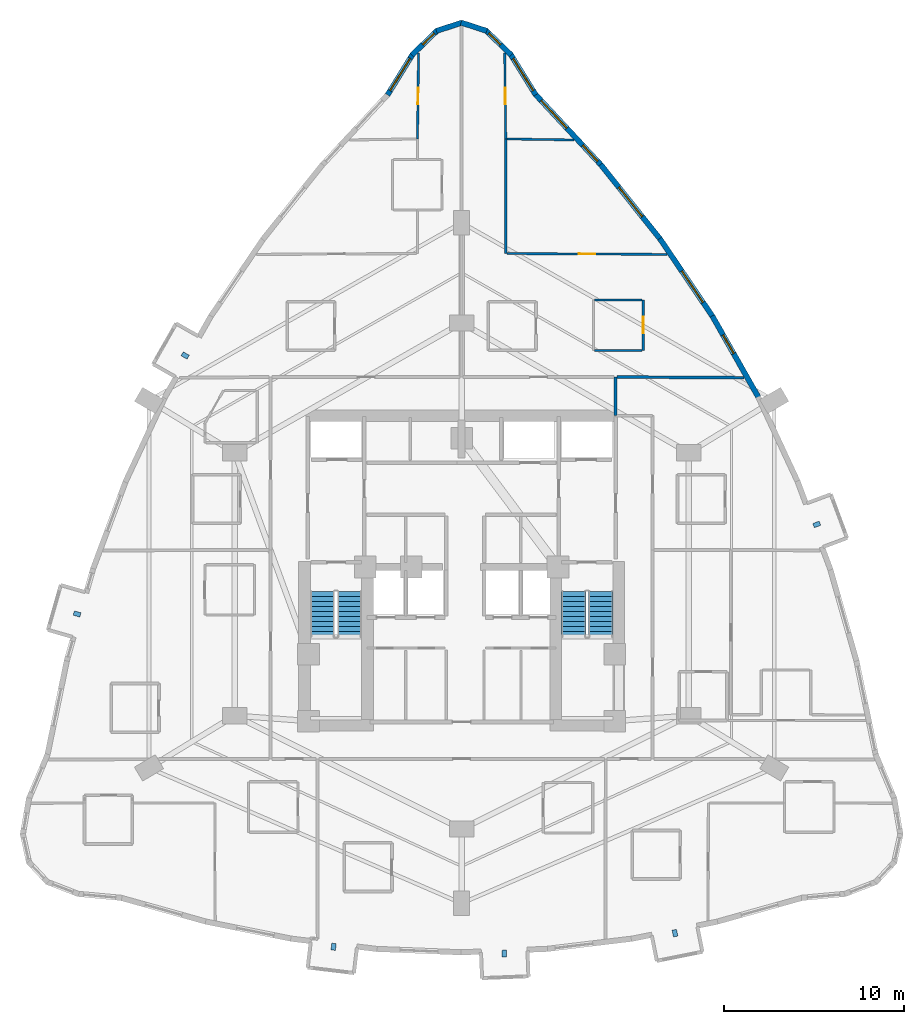
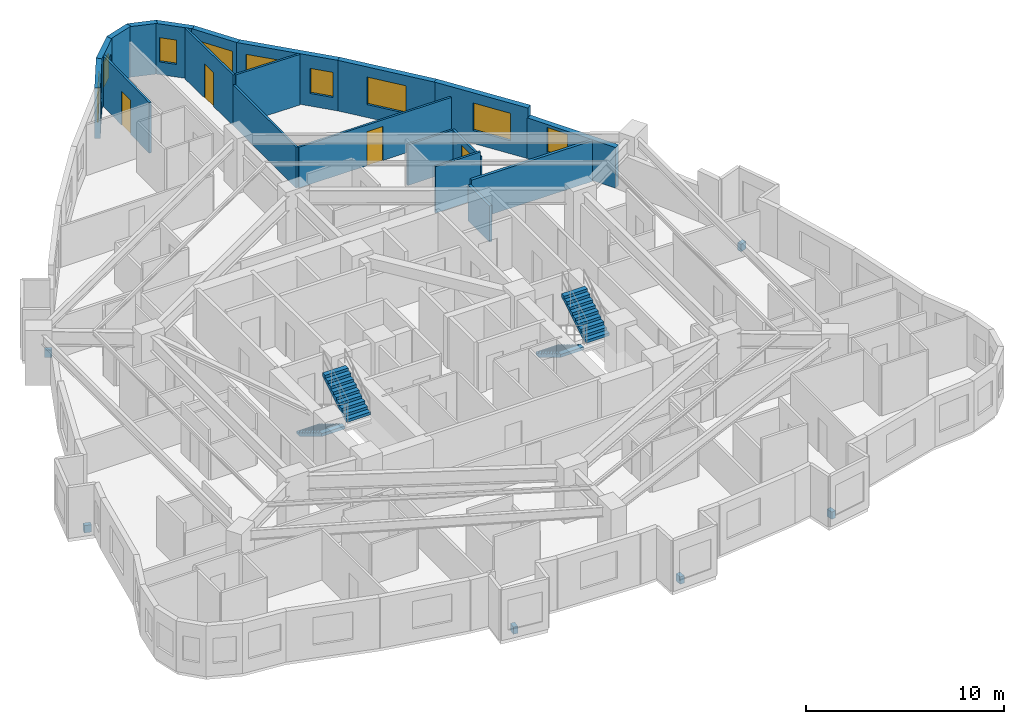
# One storey, part 10 of 11: 20 walls, 9 windows, 6 discrete accessories, 4 doors, 4 stair flights, 13 openings, 2 elements without a shape of their own.
"""IFC4 building model written with IfcOpenShell, lengths in metres."""

from ifc_helpers import new_model, si_unit, direction, frame, frame_2d, origin, origin_2d, place, context, subcontext, project, spatial, polyline, rectangle, outline, extrude, material, layer, layer_set, type_object, element, fill, aggregate, save


model = new_model("IFC4")

# Units and contexts
model_context = context("Model", 3, precision=1e-05, world=origin(), true_north=direction((0.0, 1.0)))
body_context = subcontext(model_context, "Body", "Model", "MODEL_VIEW")
ifc_project = project(units=[si_unit("LENGTHUNIT", "METRE"), si_unit("AREAUNIT", "SQUARE_METRE"), si_unit("VOLUMEUNIT", "CUBIC_METRE"), si_unit("PLANEANGLEUNIT", "RADIAN"), si_unit("MASSUNIT", "GRAM", prefix="KILO")], contexts=[model_context])

# Site, building, storey
site_placement = place(None, origin())
site = spatial("IfcSite", under=ifc_project, at=site_placement, CompositionType="ELEMENT")
building_placement = place(site_placement, origin())
building = spatial("IfcBuilding", under=site, at=building_placement, Name="Miruveldt Soraemaru", CompositionType="ELEMENT")
storey_placement = place(building_placement, frame((0.0, 0.0, 66.60009765625)))
storey = spatial("IfcBuildingStorey", under=building, at=storey_placement, Name="L18", CompositionType="ELEMENT", Elevation=66.60009765625)

# Wall, opening, window
ifc_material_1 = material(Name="Precast concrete C45/55 (45 MPa)", Category="concrete")
ifc_layer_1 = layer(ifc_material_1, 0.300048828125, Name="Precast concrete C45/55 (45 MPa)", Category="concrete")
ifc_layer_set_1 = layer_set([ifc_layer_1], Name="Precast concrete C45/55 (45 MPa)")
wall_type_1 = type_object("IfcWallType", Name="WALL-EXT-PC300", PredefinedType="SOLIDWALL", material=ifc_layer_set_1)
wall_1_placement = place(storey_placement, frame((48.114990234375, 70.26220703125, 0.0), z_axis=(0.0, 0.0, 1.0), x_axis=(-0.526058210972, 0.850448563212, 0.0)))
wall_1 = element("IfcWall", 1, at=wall_1_placement, inside=storey, type_object=wall_type_1, Name="L18 Precast Concrete Facade Wall 1", PredefinedType="SOLIDWALL", context=body_context, shape_type="SweptSolid", body=[
    extrude(rectangle(XDim=2.665771484375, YDim=0.300048828125, at=frame_2d((1.3330078125, 0.0))), origin(), (0.0, 0.0, 1.0), 3.125),
])
opening_1_placement = place(wall_1_placement, frame((0.278076171875, 0.0, 0.800048828125)))
opening_1 = element("IfcOpeningElement", 2, at=opening_1_placement, cuts=wall_1, Name="Opening WN-1", PredefinedType="OPENING", context=body_context, shape_type="SweptSolid", body=[
    extrude(rectangle(XDim=2.10009765625, YDim=1.699951171875, at=frame_2d((1.050048828125, 0.85009765625))), frame((0.0, 0.16015625, 0.0), z_axis=(0.0, -1.0, 0.0), x_axis=(1.0, 0.0, 0.0)), (0.0, 0.0, 1.0), 0.320068359375),
])
ifc_material_2 = material(Name="Triple low-e insulated glazing", Category="glass")
window_type_1 = type_object("IfcWindowType", Name="WIN-PUNCH-2100x1700", PartitioningType="SINGLE_PANEL", PredefinedType="WINDOW", material=ifc_material_2)
window_1_placement = place(opening_1_placement, origin())
window_1 = element("IfcWindow", 3, at=window_1_placement, inside=storey, type_object=window_type_1, Name="L18 Punched Triple-Glazed Window 01.1", OverallHeight=1.699951171875, OverallWidth=2.10009765625, PartitioningType="SINGLE_PANEL", PredefinedType="WINDOW", context=body_context, shape_type="SweptSolid", body=[
    extrude(rectangle(XDim=2.10009765625, YDim=1.699951171875, at=frame_2d((1.050048828125, 0.85009765625))), frame((0.0, 0.030029296875, 0.0), z_axis=(0.0, -1.0, 0.0), x_axis=(1.0, 0.0, 0.0)), (0.0, 0.0, 1.0), 0.06005859375),
])
fill(opening_1, window_1)

wall_2_placement = place(storey_placement, frame((46.756103515625, 72.47509765625, 0.0), z_axis=(0.0, 0.0, 1.0), x_axis=(-0.717793535673, 0.696256016237, 0.0)))
wall_2 = element("IfcWall", 4, at=wall_2_placement, inside=storey, type_object=wall_type_1, Name="L18 Precast Concrete Facade Wall 2", PredefinedType="SOLIDWALL", context=body_context, shape_type="SweptSolid", body=[
    extrude(rectangle(XDim=1.972412109375, YDim=0.300048828125, at=frame_2d((0.986328125, 0.0))), origin(), (0.0, 0.0, 1.0), 3.125),
])
opening_2_placement = place(wall_2_placement, frame((0.8310546875, 0.0, 0.780029296875)))
opening_2 = element("IfcOpeningElement", 5, at=opening_2_placement, cuts=wall_2, Name="Opening WN-7", PredefinedType="OPENING", context=body_context, shape_type="SweptSolid", body=[
    extrude(rectangle(XDim=0.89990234375, YDim=1.5, at=frame_2d((0.449951171875, 0.75))), frame((0.0, 0.16015625, 0.0), z_axis=(0.0, -1.0, 0.0), x_axis=(1.0, 0.0, 0.0)), (0.0, 0.0, 1.0), 0.320068359375),
])
window_type_2 = type_object("IfcWindowType", Name="WIN-PUNCH-900x1500", PartitioningType="SINGLE_PANEL", PredefinedType="WINDOW", material=ifc_material_2)
window_2_placement = place(opening_2_placement, origin())
window_2 = element("IfcWindow", 6, at=window_2_placement, inside=storey, type_object=window_type_2, Name="L18 Punched Triple-Glazed Window 02.1", OverallHeight=1.5, OverallWidth=0.89990234375, PartitioningType="SINGLE_PANEL", PredefinedType="WINDOW", context=body_context, shape_type="SweptSolid", body=[
    extrude(rectangle(XDim=0.89990234375, YDim=1.5, at=frame_2d((0.449951171875, 0.75))), frame((0.0, 0.030029296875, 0.0), z_axis=(0.0, -1.0, 0.0), x_axis=(1.0, 0.0, 0.0)), (0.0, 0.0, 1.0), 0.06005859375),
])
fill(opening_2, window_2)

# Walls
for number, where, z_axis, x_axis, name in (
    (7, (45.398681640625, 73.813232421875, 0.0), (0.0, 0.0, 1.0), (-0.951468271923, 0.307746856238, 0.0), "L18 Precast Concrete Facade Wall 3"),
    (8, (44.033203125, 74.2763671875, 0.0), (0.0, 0.0, 1.0), (-0.951468271923, -0.307746856238, 0.0), "L18 Precast Concrete Facade Wall 4"),
):
    element("IfcWall", number, at=place(storey_placement, frame(where, z_axis=z_axis, x_axis=x_axis)), inside=storey, type_object=wall_type_1, Name=name, PredefinedType="SOLIDWALL", context=body_context, shape_type="SweptSolid", body=[
        extrude(rectangle(XDim=1.5048828125, YDim=0.300048828125, at=frame_2d((0.75244140625, 0.0))), origin(), (0.0, 0.0, 1.0), 3.125),
    ])

# Wall, opening, window
wall_3_placement = place(storey_placement, frame((42.65966796875, 73.848388671875, 0.0), z_axis=(0.0, 0.0, 1.0), x_axis=(-0.717793535673, -0.696256016237, 0.0)))
wall_3 = element("IfcWall", 9, at=wall_3_placement, inside=storey, type_object=wall_type_1, Name="L18 Precast Concrete Facade Wall 5", PredefinedType="SOLIDWALL", context=body_context, shape_type="SweptSolid", body=[
    extrude(rectangle(XDim=1.972412109375, YDim=0.300048828125, at=frame_2d((0.986328125, 0.0))), origin(), (0.0, 0.0, 1.0), 3.125),
])
opening_3_placement = place(wall_3_placement, frame((0.240966796875, 0.0, 0.780029296875)))
opening_3 = element("IfcOpeningElement", 10, at=opening_3_placement, cuts=wall_3, Name="Opening WN-7", PredefinedType="OPENING", context=body_context, shape_type="SweptSolid", body=[
    extrude(rectangle(XDim=0.89990234375, YDim=1.5, at=frame_2d((0.449951171875, 0.75))), frame((0.0, 0.16015625, 0.0), z_axis=(0.0, -1.0, 0.0), x_axis=(1.0, 0.0, 0.0)), (0.0, 0.0, 1.0), 0.320068359375),
])
window_3_placement = place(opening_3_placement, origin())
window_3 = element("IfcWindow", 11, at=window_3_placement, inside=storey, type_object=window_type_2, Name="L18 Punched Triple-Glazed Window 05.1", OverallHeight=1.5, OverallWidth=0.89990234375, PartitioningType="SINGLE_PANEL", PredefinedType="WINDOW", context=body_context, shape_type="SweptSolid", body=[
    extrude(rectangle(XDim=0.89990234375, YDim=1.5, at=frame_2d((0.449951171875, 0.75))), frame((0.0, 0.030029296875, 0.0), z_axis=(0.0, -1.0, 0.0), x_axis=(1.0, 0.0, 0.0)), (0.0, 0.0, 1.0), 0.06005859375),
])
fill(opening_3, window_3)

wall_4_placement = place(storey_placement, frame((41.287353515625, 72.529296875, 0.0), z_axis=(0.0, 0.0, 1.0), x_axis=(-0.526058210972, -0.850448563212, 0.0)))
wall_4 = element("IfcWall", 12, at=wall_4_placement, inside=storey, type_object=wall_type_1, Name="L18 Precast Concrete Facade Wall 6", PredefinedType="SOLIDWALL", context=body_context, shape_type="SweptSolid", body=[
    extrude(rectangle(XDim=2.665771484375, YDim=0.300048828125, at=frame_2d((1.3330078125, 0.0))), origin(), (0.0, 0.0, 1.0), 3.125),
])
opening_4_placement = place(wall_4_placement, frame((0.2880859375, 0.0, 0.800048828125)))
opening_4 = element("IfcOpeningElement", 13, at=opening_4_placement, cuts=wall_4, Name="Opening WN-1", PredefinedType="OPENING", context=body_context, shape_type="SweptSolid", body=[
    extrude(rectangle(XDim=2.10009765625, YDim=1.699951171875, at=frame_2d((1.050048828125, 0.85009765625))), frame((0.0, 0.16015625, 0.0), z_axis=(0.0, -1.0, 0.0), x_axis=(1.0, 0.0, 0.0)), (0.0, 0.0, 1.0), 0.320068359375),
])
window_4_placement = place(opening_4_placement, origin())
window_4 = element("IfcWindow", 14, at=window_4_placement, inside=storey, type_object=window_type_1, Name="L18 Punched Triple-Glazed Window 06.1", OverallHeight=1.699951171875, OverallWidth=2.10009765625, PartitioningType="SINGLE_PANEL", PredefinedType="WINDOW", context=body_context, shape_type="SweptSolid", body=[
    extrude(rectangle(XDim=2.10009765625, YDim=1.699951171875, at=frame_2d((1.050048828125, 0.85009765625))), frame((0.0, 0.030029296875, 0.0), z_axis=(0.0, -1.0, 0.0), x_axis=(1.0, 0.0, 0.0)), (0.0, 0.0, 1.0), 0.06005859375),
])
fill(opening_4, window_4)

wall_5_placement = place(storey_placement, frame((60.4970703125, 53.44140625, 0.0), z_axis=(0.0, 0.0, 1.0), x_axis=(-0.493356446913, 0.869827233587, 0.0)))
wall_5 = element("IfcWall", 15, at=wall_5_placement, inside=storey, type_object=wall_type_1, Name="L18 Precast Concrete Facade Wall 39", PredefinedType="SOLIDWALL", context=body_context, shape_type="SweptSolid", body=[
    extrude(rectangle(XDim=5.230224609375, YDim=0.300048828125, at=frame_2d((2.615234375, 0.0))), origin(), (0.0, 0.0, 1.0), 2.512939453125),
])
opening_5_placement = place(wall_5_placement, frame((2.824951171875, 0.0, 0.780029296875)))
opening_5 = element("IfcOpeningElement", 16, at=opening_5_placement, cuts=wall_5, Name="Opening WN-4", PredefinedType="OPENING", context=body_context, shape_type="SweptSolid", body=[
    extrude(rectangle(XDim=1.199951171875, YDim=1.550048828125, at=frame_2d((0.60009765625, 0.77490234375))), frame((0.0, 0.16015625, 0.0), z_axis=(0.0, -1.0, 0.0), x_axis=(1.0, 0.0, 0.0)), (0.0, 0.0, 1.0), 0.320068359375),
])
window_type_3 = type_object("IfcWindowType", Name="WIN-PUNCH-1200x1550", PartitioningType="SINGLE_PANEL", PredefinedType="WINDOW", material=ifc_material_2)
window_5_placement = place(opening_5_placement, origin())
window_5 = element("IfcWindow", 17, at=window_5_placement, inside=storey, type_object=window_type_3, Name="L18 Punched Triple-Glazed Window 39.1", OverallHeight=1.550048828125, OverallWidth=1.199951171875, PartitioningType="SINGLE_PANEL", PredefinedType="WINDOW", context=body_context, shape_type="SweptSolid", body=[
    extrude(rectangle(XDim=1.199951171875, YDim=1.550048828125, at=frame_2d((0.60009765625, 0.77490234375))), frame((0.0, 0.030029296875, 0.0), z_axis=(0.0, -1.0, 0.0), x_axis=(1.0, 0.0, 0.0)), (0.0, 0.0, 1.0), 0.06005859375),
])
fill(opening_5, window_5)

wall_6_placement = place(storey_placement, frame((57.95361328125, 57.931396484375, 0.0), z_axis=(0.0, 0.0, 1.0), x_axis=(-0.560829682514, 0.827931197148, 0.0)))
wall_6 = element("IfcWall", 18, at=wall_6_placement, inside=storey, type_object=wall_type_1, Name="L18 Precast Concrete Facade Wall 40", PredefinedType="SOLIDWALL", context=body_context, shape_type="SweptSolid", body=[
    extrude(rectangle(XDim=5.262939453125, YDim=0.300048828125, at=frame_2d((2.63134765625, 0.0))), origin(), (0.0, 0.0, 1.0), 3.125),
])
opening_6_placement = place(wall_6_placement, frame((0.98388671875, 0.0, 0.800048828125)))
opening_6 = element("IfcOpeningElement", 19, at=opening_6_placement, cuts=wall_6, Name="Opening WN-1", PredefinedType="OPENING", context=body_context, shape_type="SweptSolid", body=[
    extrude(rectangle(XDim=2.10009765625, YDim=1.699951171875, at=frame_2d((1.050048828125, 0.85009765625))), frame((0.0, 0.16015625, 0.0), z_axis=(0.0, -1.0, 0.0), x_axis=(1.0, 0.0, 0.0)), (0.0, 0.0, 1.0), 0.320068359375),
])
window_6_placement = place(opening_6_placement, origin())
window_6 = element("IfcWindow", 20, at=window_6_placement, inside=storey, type_object=window_type_1, Name="L18 Punched Triple-Glazed Window 40.1", OverallHeight=1.699951171875, OverallWidth=2.10009765625, PartitioningType="SINGLE_PANEL", PredefinedType="WINDOW", context=body_context, shape_type="SweptSolid", body=[
    extrude(rectangle(XDim=2.10009765625, YDim=1.699951171875, at=frame_2d((1.050048828125, 0.85009765625))), frame((0.0, 0.030029296875, 0.0), z_axis=(0.0, -1.0, 0.0), x_axis=(1.0, 0.0, 0.0)), (0.0, 0.0, 1.0), 0.06005859375),
])
fill(opening_6, window_6)

wall_7_placement = place(storey_placement, frame((55.043212890625, 62.232421875, 0.0), z_axis=(0.0, 0.0, 1.0), x_axis=(-0.623588074448, 0.781753102588, 0.0)))
wall_7 = element("IfcWall", 21, at=wall_7_placement, inside=storey, type_object=wall_type_1, Name="L18 Precast Concrete Facade Wall 41", PredefinedType="SOLIDWALL", context=body_context, shape_type="SweptSolid", body=[
    extrude(rectangle(XDim=5.328369140625, YDim=0.300048828125, at=frame_2d((2.6640625, 0.0))), origin(), (0.0, 0.0, 1.0), 3.125),
])
opening_7_placement = place(wall_7_placement, frame((1.614013671875, 0.0, 0.800048828125)))
opening_7 = element("IfcOpeningElement", 22, at=opening_7_placement, cuts=wall_7, Name="Opening WN-1", PredefinedType="OPENING", context=body_context, shape_type="SweptSolid", body=[
    extrude(rectangle(XDim=2.10009765625, YDim=1.699951171875, at=frame_2d((1.050048828125, 0.85009765625))), frame((0.0, 0.16015625, 0.0), z_axis=(0.0, -1.0, 0.0), x_axis=(1.0, 0.0, 0.0)), (0.0, 0.0, 1.0), 0.320068359375),
])
window_7_placement = place(opening_7_placement, origin())
window_7 = element("IfcWindow", 23, at=window_7_placement, inside=storey, type_object=window_type_1, Name="L18 Punched Triple-Glazed Window 41.1", OverallHeight=1.699951171875, OverallWidth=2.10009765625, PartitioningType="SINGLE_PANEL", PredefinedType="WINDOW", context=body_context, shape_type="SweptSolid", body=[
    extrude(rectangle(XDim=2.10009765625, YDim=1.699951171875, at=frame_2d((1.050048828125, 0.85009765625))), frame((0.0, 0.030029296875, 0.0), z_axis=(0.0, -1.0, 0.0), x_axis=(1.0, 0.0, 0.0)), (0.0, 0.0, 1.0), 0.06005859375),
])
fill(opening_7, window_7)

# Wall, openings, windows
wall_8_placement = place(storey_placement, frame((51.76611328125, 66.344970703125, 0.0), z_axis=(0.0, 0.0, 1.0), x_axis=(-0.680892924908, 0.732382976871, 0.0)))
wall_8 = element("IfcWall", 24, at=wall_8_placement, inside=storey, type_object=wall_type_1, Name="L18 Precast Concrete Facade Wall 42", PredefinedType="SOLIDWALL", context=body_context, shape_type="SweptSolid", body=[
    extrude(rectangle(XDim=5.42431640625, YDim=0.300048828125, at=frame_2d((2.712158203125, 0.0))), origin(), (0.0, 0.0, 1.0), 3.125),
])
opening_8_placement = place(wall_8_placement, frame((0.322021484375, 0.0, 0.780029296875)))
opening_8 = element("IfcOpeningElement", 25, at=opening_8_placement, cuts=wall_8, Name="Opening WN-4", PredefinedType="OPENING", context=body_context, shape_type="SweptSolid", body=[
    extrude(rectangle(XDim=1.199951171875, YDim=1.550048828125, at=frame_2d((0.60009765625, 0.77490234375))), frame((0.0, 0.16015625, 0.0), z_axis=(0.0, -1.0, 0.0), x_axis=(1.0, 0.0, 0.0)), (0.0, 0.0, 1.0), 0.320068359375),
])
opening_9_placement = place(wall_8_placement, frame((2.823974609375, 0.0, 0.800048828125)))
opening_9 = element("IfcOpeningElement", 26, at=opening_9_placement, cuts=wall_8, Name="Opening WN-1", PredefinedType="OPENING", context=body_context, shape_type="SweptSolid", body=[
    extrude(rectangle(XDim=2.10009765625, YDim=1.699951171875, at=frame_2d((1.050048828125, 0.85009765625))), frame((0.0, 0.16015625, 0.0), z_axis=(0.0, -1.0, 0.0), x_axis=(1.0, 0.0, 0.0)), (0.0, 0.0, 1.0), 0.320068359375),
])
window_8_placement = place(opening_8_placement, origin())
window_8 = element("IfcWindow", 27, at=window_8_placement, inside=storey, type_object=window_type_3, Name="L18 Punched Triple-Glazed Window 42.1", OverallHeight=1.550048828125, OverallWidth=1.199951171875, PartitioningType="SINGLE_PANEL", PredefinedType="WINDOW", context=body_context, shape_type="SweptSolid", body=[
    extrude(rectangle(XDim=1.199951171875, YDim=1.550048828125, at=frame_2d((0.60009765625, 0.77490234375))), frame((0.0, 0.030029296875, 0.0), z_axis=(0.0, -1.0, 0.0), x_axis=(1.0, 0.0, 0.0)), (0.0, 0.0, 1.0), 0.06005859375),
])
fill(opening_8, window_8)
window_9_placement = place(opening_9_placement, origin())
window_9 = element("IfcWindow", 28, at=window_9_placement, inside=storey, type_object=window_type_1, Name="L18 Punched Triple-Glazed Window 42.2", OverallHeight=1.699951171875, OverallWidth=2.10009765625, PartitioningType="SINGLE_PANEL", PredefinedType="WINDOW", context=body_context, shape_type="SweptSolid", body=[
    extrude(rectangle(XDim=2.10009765625, YDim=1.699951171875, at=frame_2d((1.050048828125, 0.85009765625))), frame((0.0, 0.030029296875, 0.0), z_axis=(0.0, -1.0, 0.0), x_axis=(1.0, 0.0, 0.0)), (0.0, 0.0, 1.0), 0.06005859375),
])
fill(opening_9, window_9)

# Wall, opening, door
ifc_material_3 = material(Name="Gypsum plasterboard lining", Category="gypsum")
ifc_layer_2 = layer(ifc_material_3, 0.1201171875, Name="Gypsum plasterboard lining", Category="gypsum")
ifc_layer_set_2 = layer_set([ifc_layer_2], Name="Gypsum plasterboard lining")
wall_type_2 = type_object("IfcWallType", Name="WALL-INT-P120", PredefinedType="PARTITIONING", material=ifc_layer_set_2)
wall_9_placement = place(storey_placement, frame((55.40087890625, 61.406005859375, 0.0), z_axis=(0.0, 0.0, 1.0), x_axis=(-0.999986101911, 0.00527218968, 0.0)))
wall_9 = element("IfcWall", 29, at=wall_9_placement, inside=storey, type_object=wall_type_2, Name="L18 Partition Wall 37", PredefinedType="PARTITIONING", context=body_context, shape_type="SweptSolid", body=[
    extrude(rectangle(XDim=8.89111328125, YDim=0.1201171875, at=frame_2d((4.445556640625, 0.0))), origin(), (0.0, 0.0, 1.0), 2.512939453125),
])
opening_10_placement = place(wall_9_placement, frame((3.986083984375, 0.0, 0.0)))
opening_10 = element("IfcOpeningElement", 30, at=opening_10_placement, cuts=wall_9, Name="Opening D3A", PredefinedType="OPENING", context=body_context, shape_type="SweptSolid", body=[
    extrude(rectangle(XDim=0.919921875, YDim=2.10009765625, at=frame_2d((0.4599609375, 1.050048828125))), frame((0.0, 0.070068359375, 0.0), z_axis=(0.0, -1.0, 0.0), x_axis=(1.0, 0.0, 0.0)), (0.0, 0.0, 1.0), 0.14013671875),
])
ifc_material_4 = material(Name="Anodised aluminium EN AW-6063 T6", Category="aluminium")
door_type = type_object("IfcDoorType", Name="DOOR-INT-920", OperationType="NOTDEFINED", PredefinedType="DOOR", material=ifc_material_4)
door_1_placement = place(opening_10_placement, origin())
door_1 = element("IfcDoor", 31, at=door_1_placement, inside=storey, type_object=door_type, Name="L18 Unit 1802 BD1 Door", OperationType="SINGLE_SWING_LEFT", OverallHeight=2.10009765625, OverallWidth=0.919921875, PredefinedType="DOOR", context=body_context, shape_type="SweptSolid", body=[
    extrude(rectangle(XDim=0.919921875, YDim=2.10009765625, at=frame_2d((0.4599609375, 1.050048828125))), frame((0.0, 0.02490234375, 0.0), z_axis=(0.0, -1.0, 0.0), x_axis=(1.0, 0.0, 0.0)), (0.0, 0.0, 1.0), 0.050048828125),
])
fill(opening_10, door_1)

wall_10_placement = place(storey_placement, frame((41.60888671875, 72.60009765625, 0.0), z_axis=(0.0, 0.0, 1.0), x_axis=(-0.012300008618, -0.999924352033, 0.0)))
wall_10 = element("IfcWall", 32, at=wall_10_placement, inside=storey, type_object=wall_type_2, Name="L18 Partition Wall 22", PredefinedType="PARTITIONING", context=body_context, shape_type="SweptSolid", body=[
    extrude(rectangle(XDim=4.783447265625, YDim=0.1201171875, at=frame_2d((2.3916015625, 0.0))), origin(), (0.0, 0.0, 1.0), 3.125),
])
opening_11_placement = place(wall_10_placement, frame((1.931884765625, 0.0, 0.0)))
opening_11 = element("IfcOpeningElement", 33, at=opening_11_placement, cuts=wall_10, Name="Opening D3A", PredefinedType="OPENING", context=body_context, shape_type="SweptSolid", body=[
    extrude(rectangle(XDim=0.919921875, YDim=2.10009765625, at=frame_2d((0.4599609375, 1.050048828125))), frame((0.0, 0.070068359375, 0.0), z_axis=(0.0, -1.0, 0.0), x_axis=(1.0, 0.0, 0.0)), (0.0, 0.0, 1.0), 0.14013671875),
])
door_2_placement = place(opening_11_placement, origin())
door_2 = element("IfcDoor", 34, at=door_2_placement, inside=storey, type_object=door_type, Name="L18 Unit 1801 EXT Door", OperationType="SINGLE_SWING_LEFT", OverallHeight=2.10009765625, OverallWidth=0.919921875, PredefinedType="DOOR", context=body_context, shape_type="SweptSolid", body=[
    extrude(rectangle(XDim=0.919921875, YDim=2.10009765625, at=frame_2d((0.4599609375, 1.050048828125))), frame((0.0, 0.02490234375, 0.0), z_axis=(0.0, -1.0, 0.0), x_axis=(1.0, 0.0, 0.0)), (0.0, 0.0, 1.0), 0.050048828125),
])
fill(opening_11, door_2)

wall_11_placement = place(storey_placement, frame((46.449951171875, 67.81689453125, 0.0), z_axis=(0.0, 0.0, 1.0), x_axis=(-0.012300008618, 0.999924352033, 0.0)))
wall_11 = element("IfcWall", 35, at=wall_11_placement, inside=storey, type_object=wall_type_2, Name="L18 Partition Wall 39", PredefinedType="PARTITIONING", context=body_context, shape_type="SweptSolid", body=[
    extrude(rectangle(XDim=4.783447265625, YDim=0.1201171875, at=frame_2d((2.3916015625, 0.0))), origin(), (0.0, 0.0, 1.0), 3.125),
])
opening_12_placement = place(wall_11_placement, frame((1.931884765625, 0.0, 0.0)))
opening_12 = element("IfcOpeningElement", 36, at=opening_12_placement, cuts=wall_11, Name="Opening D3A", PredefinedType="OPENING", context=body_context, shape_type="SweptSolid", body=[
    extrude(rectangle(XDim=0.919921875, YDim=2.10009765625, at=frame_2d((0.4599609375, 1.050048828125))), frame((0.0, 0.070068359375, 0.0), z_axis=(0.0, -1.0, 0.0), x_axis=(1.0, 0.0, 0.0)), (0.0, 0.0, 1.0), 0.14013671875),
])
door_3_placement = place(opening_12_placement, origin())
door_3 = element("IfcDoor", 37, at=door_3_placement, inside=storey, type_object=door_type, Name="L18 Unit 1802 EXT Door", OperationType="SINGLE_SWING_RIGHT", OverallHeight=2.10009765625, OverallWidth=0.919921875, PredefinedType="DOOR", context=body_context, shape_type="SweptSolid", body=[
    extrude(rectangle(XDim=0.919921875, YDim=2.10009765625, at=frame_2d((0.4599609375, 1.050048828125))), frame((0.0, 0.02490234375, 0.0), z_axis=(0.0, -1.0, 0.0), x_axis=(1.0, 0.0, 0.0)), (0.0, 0.0, 1.0), 0.050048828125),
])
fill(opening_12, door_3)

wall_12_placement = place(storey_placement, frame((54.080078125, 56.080078125, 0.0), z_axis=(0.0, 0.0, 1.0), x_axis=(0.0, 1.0, 0.0)))
wall_12 = element("IfcWall", 38, at=wall_12_placement, inside=storey, type_object=wall_type_2, Name="L18 Partition Wall 33", PredefinedType="PARTITIONING", context=body_context, shape_type="SweptSolid", body=[
    extrude(rectangle(XDim=2.7998046875, YDim=0.1201171875, at=frame_2d((1.39990234375, 0.0))), origin(), (0.0, 0.0, 1.0), 2.512939453125),
])
opening_13_placement = place(wall_12_placement, frame((0.93994140625, 0.0, 0.0)))
opening_13 = element("IfcOpeningElement", 39, at=opening_13_placement, cuts=wall_12, Name="Opening D3A", PredefinedType="OPENING", context=body_context, shape_type="SweptSolid", body=[
    extrude(rectangle(XDim=0.919921875, YDim=2.10009765625, at=frame_2d((0.4599609375, 1.050048828125))), frame((0.0, 0.070068359375, 0.0), z_axis=(0.0, -1.0, 0.0), x_axis=(1.0, 0.0, 0.0)), (0.0, 0.0, 1.0), 0.14013671875),
])
door_4_placement = place(opening_13_placement, origin())
door_4 = element("IfcDoor", 40, at=door_4_placement, inside=storey, type_object=door_type, Name="L18 Unit 1802 KIT Door", OperationType="SINGLE_SWING_RIGHT", OverallHeight=2.10009765625, OverallWidth=0.919921875, PredefinedType="DOOR", context=body_context, shape_type="SweptSolid", body=[
    extrude(rectangle(XDim=0.919921875, YDim=2.10009765625, at=frame_2d((0.4599609375, 1.050048828125))), frame((0.0, 0.02490234375, 0.0), z_axis=(0.0, -1.0, 0.0), x_axis=(1.0, 0.0, 0.0)), (0.0, 0.0, 1.0), 0.050048828125),
])
fill(opening_13, door_4)

# Walls
wall_13_placement = place(storey_placement, frame((46.449951171875, 61.452880859375, 0.0), z_axis=(0.0, 0.0, 1.0), x_axis=(0.0, 1.0, 0.0)))
element("IfcWall", 41, at=wall_13_placement, inside=storey, type_object=wall_type_2, Name="L18 Partition Wall 38", PredefinedType="PARTITIONING", context=body_context, shape_type="SweptSolid", body=[
    extrude(rectangle(XDim=6.364013671875, YDim=0.1201171875, at=frame_2d((3.18212890625, 0.0))), origin(), (0.0, 0.0, 1.0), 2.512939453125),
])
wall_14_placement = place(storey_placement, frame((50.22607421875, 67.759033203125, 0.0), z_axis=(0.0, 0.0, 1.0), x_axis=(-0.999882856241, 0.015306005223, 0.0)))
element("IfcWall", 42, at=wall_14_placement, inside=storey, type_object=wall_type_2, Name="L18 Partition Wall 41", PredefinedType="PARTITIONING", context=body_context, shape_type="SweptSolid", body=[
    extrude(rectangle(XDim=3.716552734375, YDim=0.1201171875, at=frame_2d((1.8583984375, 0.0))), origin(), (0.0, 0.0, 1.0), 3.125),
])
wall_15_placement = place(storey_placement, frame((54.02001953125, 58.8798828125, 0.0), z_axis=(0.0, 0.0, 1.0), x_axis=(-1.0, 0.0, 0.0)))
element("IfcWall", 43, at=wall_15_placement, inside=storey, type_object=wall_type_2, Name="L18 Partition Wall 34", PredefinedType="PARTITIONING", context=body_context, shape_type="SweptSolid", body=[
    extrude(rectangle(XDim=2.630126953125, YDim=0.1201171875, at=frame_2d((1.31494140625, 0.0))), origin(), (0.0, 0.0, 1.0), 2.512939453125),
])
wall_16_placement = place(storey_placement, frame((51.389892578125, 56.080078125, 0.0), z_axis=(0.0, 0.0, 1.0), x_axis=(1.0, 0.0, 0.0)))
element("IfcWall", 44, at=wall_16_placement, inside=storey, type_object=wall_type_2, Name="L18 Partition Wall 36", PredefinedType="PARTITIONING", context=body_context, shape_type="SweptSolid", body=[
    extrude(rectangle(XDim=2.630126953125, YDim=0.1201171875, at=frame_2d((1.31494140625, 0.0))), origin(), (0.0, 0.0, 1.0), 2.86279296875),
])
ifc_material_5 = material(Name="Concrete C40/50 (40 MPa)", Category="concrete")
ifc_layer_3 = layer(ifc_material_5, 0.159912109375, Name="Concrete C40/50 (40 MPa)", Category="concrete")
ifc_layer_set_3 = layer_set([ifc_layer_3], Name="Concrete C40/50 (40 MPa)")
wall_type_3 = type_object("IfcWallType", Name="WALL-INT-RC160", PredefinedType="SOLIDWALL", material=ifc_layer_set_3)
wall_17_placement = place(storey_placement, frame((52.633056640625, 54.60009765625, 0.0), z_axis=(0.0, 0.0, 1.0), x_axis=(0.999983028998, -0.005825951896, 0.0)))
element("IfcWall", 45, at=wall_17_placement, inside=storey, type_object=wall_type_3, Name="L18 Partition Wall 40", PredefinedType="SOLIDWALL", context=body_context, shape_type="SweptSolid", body=[
    extrude(rectangle(XDim=7.0400390625, YDim=0.159912109375, at=frame_2d((3.52001953125, 0.0))), origin(), (0.0, 0.0, 1.0), 2.512939453125),
])
wall_18_placement = place(storey_placement, frame((52.550048828125, 52.449951171875, 0.0), z_axis=(0.0, 0.0, 1.0), x_axis=(0.0, 1.0, 0.0)))
element("IfcWall", 46, at=wall_18_placement, inside=storey, type_object=wall_type_3, Name="L18 Partition Wall 7", PredefinedType="SOLIDWALL", context=body_context, shape_type="SweptSolid", body=[
    extrude(rectangle(XDim=2.14697265625, YDim=0.159912109375, at=frame_2d((1.073486328125, 0.0))), origin(), (0.0, 0.0, 1.0), 2.219970703125),
])

# Stair, stair flights
stair_type = type_object("IfcStairType", Name="STAIR-DL-340", PredefinedType="HALF_TURN_STAIR", material=ifc_material_5)
stair_1_placement = place(storey_placement, origin())
stair_1 = element("IfcStair", 47, at=stair_1_placement, inside=storey, type_object=stair_type, Name="L18 Protected Exit Stair ST-1", PredefinedType="HALF_TURN_STAIR")
stair_flight_type = type_object("IfcStairFlightType", Name="SFL-DL-340", PredefinedType="STRAIGHT", material=ifc_material_5)
stair_flight_1_placement = place(storey_placement, frame((36.27490234375, 42.699951171875, 0.0), z_axis=(0.0, 0.0, 1.0), x_axis=(0.0, -1.0, 0.0)))
stair_flight_1 = element("IfcStairFlight", 48, at=stair_flight_1_placement, type_object=stair_flight_type, Name="ST-1 flight 1", NumberOfRisers=10, NumberOfTreads=9, PredefinedType="STRAIGHT", RiserHeight=0.17, TreadLength=0.28, context=body_context, shape_type="SweptSolid", body=[
    extrude(outline(polyline([(0.0, 0.0), (0.0, 0.169921875), (0.280029296875, 0.169921875), (0.280029296875, 0.340087890625), (0.56005859375, 0.340087890625), (0.56005859375, 0.510009765625), (0.840087890625, 0.510009765625), (0.840087890625, 0.679931640625), (1.1201171875, 0.679931640625), (1.1201171875, 0.85009765625), (1.39990234375, 0.85009765625), (1.39990234375, 1.02001953125), (1.679931640625, 1.02001953125), (1.679931640625, 1.18994140625), (1.9599609375, 1.18994140625), (1.9599609375, 1.360107421875), (2.239990234375, 1.360107421875), (2.239990234375, 1.530029296875), (2.52001953125, 1.530029296875), (2.52001953125, 1.699951171875), (2.52001953125, 1.343017578125), (0.30810546875, 0.0), (0.0, 0.0)])), frame((0.0, 0.675048828125, 0.0), z_axis=(0.0, -1.0, 0.0), x_axis=(1.0, 0.0, 0.0)), (0.0, 0.0, 1.0), 1.35009765625),
])
stair_flight_2_placement = place(storey_placement, frame((37.77490234375, 40.179931640625, 1.699951171875), z_axis=(0.0, 0.0, 1.0), x_axis=(0.0, 1.0, 0.0)))
stair_flight_2 = element("IfcStairFlight", 49, at=stair_flight_2_placement, type_object=stair_flight_type, Name="ST-1 flight 2", NumberOfRisers=10, NumberOfTreads=9, PredefinedType="STRAIGHT", RiserHeight=0.17, TreadLength=0.28, context=body_context, shape_type="SweptSolid", body=[
    extrude(outline(polyline([(0.0, 0.0), (0.0, 0.169921875), (0.280029296875, 0.169921875), (0.280029296875, 0.340087890625), (0.56005859375, 0.340087890625), (0.56005859375, 0.510009765625), (0.840087890625, 0.510009765625), (0.840087890625, 0.679931640625), (1.1201171875, 0.679931640625), (1.1201171875, 0.85009765625), (1.39990234375, 0.85009765625), (1.39990234375, 1.02001953125), (1.679931640625, 1.02001953125), (1.679931640625, 1.18994140625), (1.9599609375, 1.18994140625), (1.9599609375, 1.360107421875), (2.239990234375, 1.360107421875), (2.239990234375, 1.530029296875), (2.52001953125, 1.530029296875), (2.52001953125, 1.699951171875), (2.52001953125, 1.343017578125), (0.30810546875, 0.0), (0.0, 0.0)])), frame((0.0, 0.675048828125, 0.0), z_axis=(0.0, -1.0, 0.0), x_axis=(1.0, 0.0, 0.0)), (0.0, 0.0, 1.0), 1.35009765625),
])
aggregate(stair_1, [stair_flight_1, stair_flight_2])

stair_2_placement = place(storey_placement, origin())
stair_2 = element("IfcStair", 50, at=stair_2_placement, inside=storey, type_object=stair_type, Name="L18 Protected Exit Stair ST-2", PredefinedType="HALF_TURN_STAIR")
stair_flight_3_placement = place(storey_placement, frame((50.22509765625, 42.699951171875, 0.0), z_axis=(0.0, 0.0, 1.0), x_axis=(0.0, -1.0, 0.0)))
stair_flight_3 = element("IfcStairFlight", 51, at=stair_flight_3_placement, type_object=stair_flight_type, Name="ST-2 flight 1", NumberOfRisers=10, NumberOfTreads=9, PredefinedType="STRAIGHT", RiserHeight=0.17, TreadLength=0.28, context=body_context, shape_type="SweptSolid", body=[
    extrude(outline(polyline([(0.0, 0.0), (0.0, 0.169921875), (0.280029296875, 0.169921875), (0.280029296875, 0.340087890625), (0.56005859375, 0.340087890625), (0.56005859375, 0.510009765625), (0.840087890625, 0.510009765625), (0.840087890625, 0.679931640625), (1.1201171875, 0.679931640625), (1.1201171875, 0.85009765625), (1.39990234375, 0.85009765625), (1.39990234375, 1.02001953125), (1.679931640625, 1.02001953125), (1.679931640625, 1.18994140625), (1.9599609375, 1.18994140625), (1.9599609375, 1.360107421875), (2.239990234375, 1.360107421875), (2.239990234375, 1.530029296875), (2.52001953125, 1.530029296875), (2.52001953125, 1.699951171875), (2.52001953125, 1.343017578125), (0.30810546875, 0.0), (0.0, 0.0)])), frame((0.0, 0.675048828125, 0.0), z_axis=(0.0, -1.0, 0.0), x_axis=(1.0, 0.0, 0.0)), (0.0, 0.0, 1.0), 1.35009765625),
])
stair_flight_4_placement = place(storey_placement, frame((51.72509765625, 40.179931640625, 1.699951171875), z_axis=(0.0, 0.0, 1.0), x_axis=(0.0, 1.0, 0.0)))
stair_flight_4 = element("IfcStairFlight", 52, at=stair_flight_4_placement, type_object=stair_flight_type, Name="ST-2 flight 2", NumberOfRisers=10, NumberOfTreads=9, PredefinedType="STRAIGHT", RiserHeight=0.17, TreadLength=0.28, context=body_context, shape_type="SweptSolid", body=[
    extrude(outline(polyline([(0.0, 0.0), (0.0, 0.169921875), (0.280029296875, 0.169921875), (0.280029296875, 0.340087890625), (0.56005859375, 0.340087890625), (0.56005859375, 0.510009765625), (0.840087890625, 0.510009765625), (0.840087890625, 0.679931640625), (1.1201171875, 0.679931640625), (1.1201171875, 0.85009765625), (1.39990234375, 0.85009765625), (1.39990234375, 1.02001953125), (1.679931640625, 1.02001953125), (1.679931640625, 1.18994140625), (1.9599609375, 1.18994140625), (1.9599609375, 1.360107421875), (2.239990234375, 1.360107421875), (2.239990234375, 1.530029296875), (2.52001953125, 1.530029296875), (2.52001953125, 1.699951171875), (2.52001953125, 1.343017578125), (0.30810546875, 0.0), (0.0, 0.0)])), frame((0.0, 0.675048828125, 0.0), z_axis=(0.0, -1.0, 0.0), x_axis=(1.0, 0.0, 0.0)), (0.0, 0.0, 1.0), 1.35009765625),
])
aggregate(stair_2, [stair_flight_3, stair_flight_4])

# Discrete accessories
ifc_material_6 = material(Name="Steel SM355 (355 MPa)", Category="steel")
discrete_accessory_type = type_object("IfcDiscreteAccessoryType", Name="ACC-BAY-BRK", PredefinedType="BRACKET", material=ifc_material_6)
for number, where, z_axis, x_axis, name in (
    (53, (28.65380859375, 55.794921875, -0.72021484375), (0.0, 0.0, 1.0), (-0.869830943614, 0.493349905778, 0.0), "L18 Bay Window Cantilever Bracket 1"),
    (54, (22.651611328125, 41.44384765625, -0.72021484375), (0.0, 0.0, 1.0), (-0.961444294128, 0.274999762342, 0.0), "L18 Bay Window Cantilever Bracket 2"),
    (55, (36.893310546875, 22.97021484375, -0.72021484375), (0.0, 0.0, 1.0), (-0.119149147143, -0.992876367296, 0.0), "L18 Bay Window Cantilever Bracket 3"),
    (56, (46.368896484375, 22.591064453125, -0.72021484375), (0.0, 0.0, 1.0), (0.03997483895, -0.999200686675, 0.0), "L18 Bay Window Cantilever Bracket 4"),
    (57, (55.843994140625, 23.72802734375, -0.72021484375), (0.0, 0.0, 1.0), (0.196117290802, -0.980580444557, 0.0), "L18 Bay Window Cantilever Bracket 5"),
    (58, (63.71533203125, 46.416748046875, -0.72021484375), (0.0, 0.0, 1.0), (0.937117624721, 0.349013692334, 0.0), "L18 Bay Window Cantilever Bracket 6"),
):
    element("IfcDiscreteAccessory", number, at=place(storey_placement, frame(where, z_axis=z_axis, x_axis=x_axis)), inside=storey, type_object=discrete_accessory_type, Name=name, PredefinedType="BRACKET", context=body_context, shape_type="SweptSolid", body=[
        extrude(rectangle(XDim=0.3798828125, YDim=0.25, at=origin_2d()), origin(), (0.0, 0.0, 1.0), 0.449951171875),
    ])

save(model, "model.ifc")
